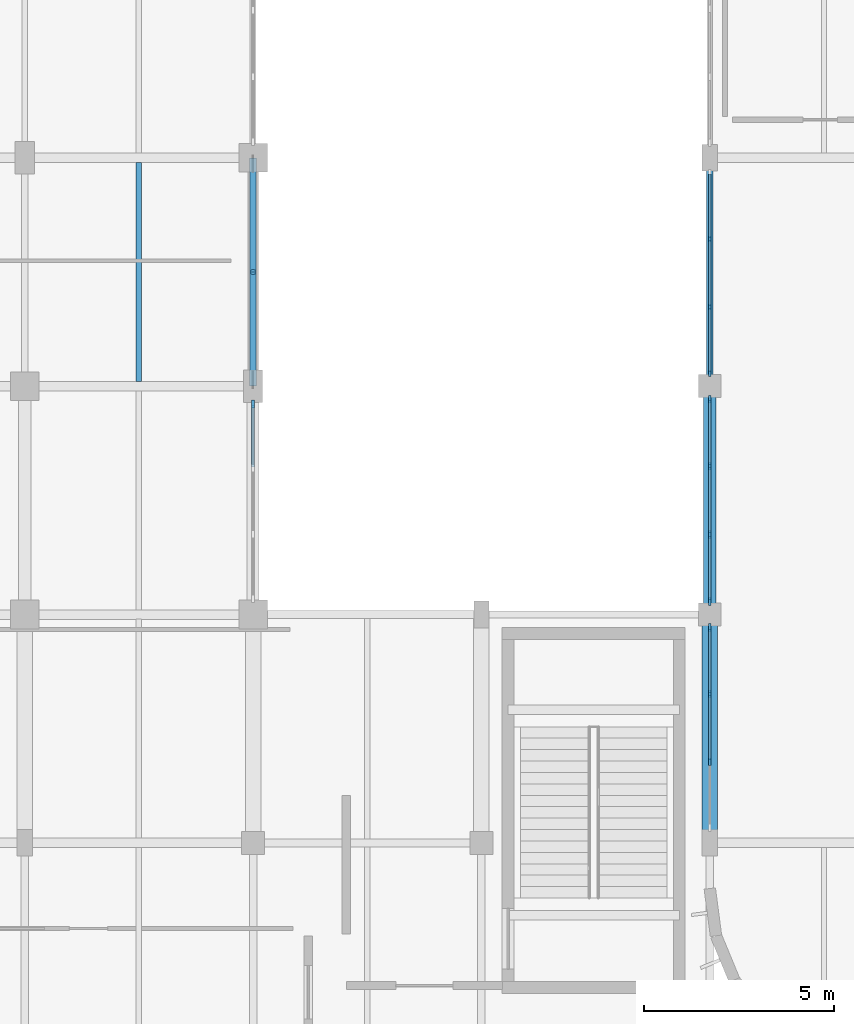
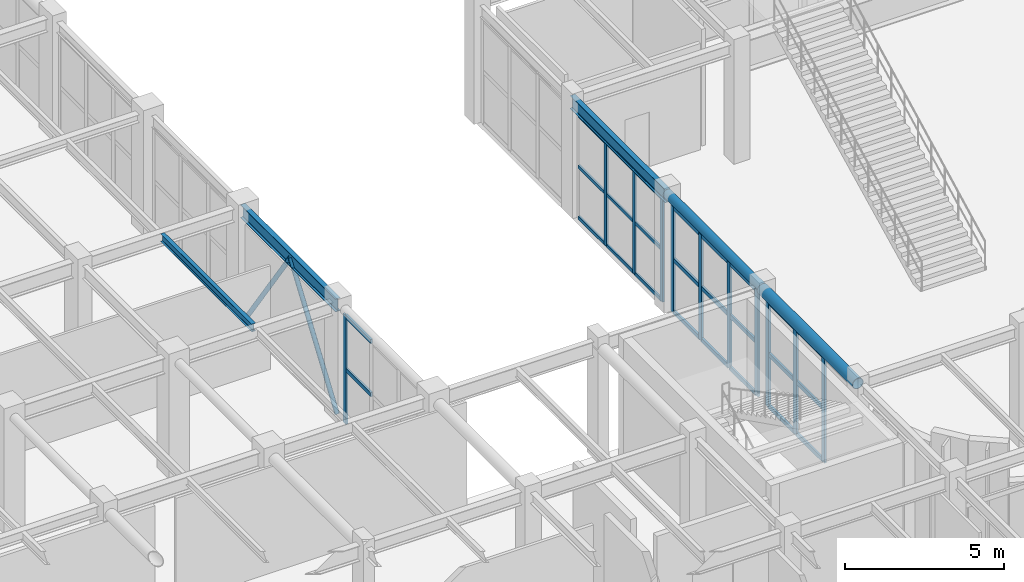
# One storey, part 8 of 76: 39 members, 5 beams, 4 elements without a shape of their own.
"""IFC4 building model written with IfcOpenShell, lengths in metres."""

from ifc_helpers import new_model, si_unit, direction, frame, origin, origin_2d, place, context, subcontext, project, spatial, rectangle, hollow_circle, i_section, extrude, material, material_profile, profile_set, type_object, element, aggregate, save


model = new_model("IFC4")

# Units and contexts
model_context = context("Model", 3, precision=1e-05, world=origin(), true_north=direction((0.0, 1.0)))
body_context = subcontext(model_context, "Body", "Model", "MODEL_VIEW")
ifc_project = project(units=[si_unit("LENGTHUNIT", "METRE"), si_unit("AREAUNIT", "SQUARE_METRE"), si_unit("VOLUMEUNIT", "CUBIC_METRE"), si_unit("PLANEANGLEUNIT", "RADIAN"), si_unit("MASSUNIT", "GRAM", prefix="KILO")], contexts=[model_context])

# Site, building, storey
site_placement = place(None, origin())
site = spatial("IfcSite", under=ifc_project, at=site_placement, CompositionType="ELEMENT")
building_placement = place(site_placement, origin())
building = spatial("IfcBuilding", under=site, at=building_placement, Name="Varnakota Square Police Headquarters", CompositionType="ELEMENT")
storey_placement = place(building_placement, origin())
storey = spatial("IfcBuildingStorey", under=building, at=storey_placement, Name="L00", CompositionType="ELEMENT", Elevation=0.0)

# Beams
ifc_material_1 = material(Name="Steel IS 2062 Grade 350", Category="steel")
ifc_material_profile_1 = material_profile(ifc_material_1, hollow_circle(Radius=0.161865234375, WallThickness=0.0126953125, at=origin_2d()), Name="CHS 323.9x12.7")
ifc_profile_set_1 = profile_set([ifc_material_profile_1], Name="Steel IS 2062 Grade 350")
beam_type_1 = type_object("IfcBeamType", Name="BM-ARC-CHS324", PredefinedType="BEAM", material=ifc_profile_set_1)
beam_1_placement = place(storey_placement, frame((54.0, 21.0, 4.337890625), z_axis=(0.0, 1.0, 0.0), x_axis=(-1.0, 0.0, 0.0)))
element("IfcBeam", 1, at=beam_1_placement, inside=storey, type_object=beam_type_1, Name="BMG-L00-1033", PredefinedType="BEAM", context=body_context, shape_type="SweptSolid", body=[
    extrude(hollow_circle(Radius=0.161865234375, WallThickness=0.0126953125, at=origin_2d()), origin(), (0.0, 0.0, 1.0), 6.0),
])
ifc_material_profile_2 = material_profile(ifc_material_1, hollow_circle(Radius=0.203125, WallThickness=0.01611328125, at=origin_2d()), Name="CHS 406.4x16.0")
ifc_profile_set_2 = profile_set([ifc_material_profile_2], Name="Steel IS 2062 Grade 350")
beam_type_2 = type_object("IfcBeamType", Name="BM-ARC-CHS406", PredefinedType="BEAM", material=ifc_profile_set_2)
beam_2_placement = place(storey_placement, frame((54.0, 15.0, 4.296875), z_axis=(0.0, 1.0, 0.0), x_axis=(-1.0, 0.0, 0.0)))
element("IfcBeam", 2, at=beam_2_placement, inside=storey, type_object=beam_type_2, Name="BMG-L00-1032", PredefinedType="BEAM", context=body_context, shape_type="SweptSolid", body=[
    extrude(hollow_circle(Radius=0.203125, WallThickness=0.01611328125, at=origin_2d()), origin(), (0.0, 0.0, 1.0), 6.0),
])
ifc_material_profile_3 = material_profile(ifc_material_1, i_section(OverallWidth=0.139892578125, OverallDepth=0.300048828125, WebThickness=0.0078125, FlangeThickness=0.01318359375, FilletRadius=0.013916015625, at=origin_2d()), Name="ISMB 300")
ifc_profile_set_3 = profile_set([ifc_material_profile_3], Name="Steel IS 2062 Grade 350")
beam_type_3 = type_object("IfcBeamType", Name="BM-ISMB300", PredefinedType="JOIST", material=ifc_profile_set_3)
beam_3_placement = place(storey_placement, frame((39.0, 27.123046875, 4.35009765625), z_axis=(0.0, 1.0, 0.0), x_axis=(-1.0, 0.0, 0.0)))
element("IfcBeam", 3, at=beam_3_placement, inside=storey, type_object=beam_type_3, Name="BMG-L00-1228", PredefinedType="JOIST", context=body_context, shape_type="SweptSolid", body=[
    extrude(i_section(OverallWidth=0.139892578125, OverallDepth=0.300048828125, WebThickness=0.0078125, FlangeThickness=0.01318359375, FilletRadius=0.013916015625, at=origin_2d()), origin(), (0.0, 0.0, 1.0), 5.75390625),
])
ifc_material_profile_4 = material_profile(ifc_material_1, i_section(OverallWidth=0.179931640625, OverallDepth=0.5, WebThickness=0.01025390625, FlangeThickness=0.01708984375, FilletRadius=0.01708984375, at=origin_2d()), Name="ISMB 500")
ifc_profile_set_4 = profile_set([ifc_material_profile_4], Name="Steel IS 2062 Grade 350")
beam_type_4 = type_object("IfcBeamType", Name="BM-ISMB500", PredefinedType="BEAM", material=ifc_profile_set_4)
for number, where, z_axis, x_axis, name in (
    (4, (42.0, 27.0, 4.25), (0.0, 1.0, 0.0), (-1.0, 0.0, 0.0), "BMG-L00-1014"),
    (5, (54.0, 27.0, 4.25), (0.0, 1.0, 0.0), (-1.0, 0.0, 0.0), "BMG-L00-1034"),
):
    element("IfcBeam", number, at=place(storey_placement, frame(where, z_axis=z_axis, x_axis=x_axis)), inside=storey, type_object=beam_type_4, Name=name, PredefinedType="BEAM", context=body_context, shape_type="SweptSolid", body=[
        extrude(i_section(OverallWidth=0.179931640625, OverallDepth=0.5, WebThickness=0.01025390625, FlangeThickness=0.01708984375, FilletRadius=0.01708984375, at=origin_2d()), origin(), (0.0, 0.0, 1.0), 6.0),
    ])

# Curtain wall, members
ifc_material_2 = material(Name="Anodised Aluminium Framing", Category="aluminium")
curtain_wall_type_1 = type_object("IfcCurtainWallType", Name="CW-SYS-A", PredefinedType="NOTDEFINED", material=ifc_material_2)
curtain_wall_1_placement = place(storey_placement, origin())
curtain_wall_1 = element("IfcCurtainWall", 6, at=curtain_wall_1_placement, inside=storey, type_object=curtain_wall_type_1, Name="Unitised curtain wall CWG-L00-012", PredefinedType="NOTDEFINED")
ifc_material_3 = material(Name="Anodised Aluminium 6063-T6", Category="aluminium")
ifc_material_profile_5 = material_profile(ifc_material_3, rectangle(XDim=0.06494140625, YDim=0.159912109375, at=origin_2d()), Name="ALU MULLION 65x160")
ifc_profile_set_5 = profile_set([ifc_material_profile_5], Name="Anodised Aluminium 6063-T6")
member_type_1 = type_object("IfcMemberType", Name="CWM-150", PredefinedType="MULLION", material=ifc_profile_set_5)
member_1_placement = place(storey_placement, frame((54.0, 27.33740234375, 0.0), z_axis=(0.0, 0.0, 1.0), x_axis=(-1.0, 0.0, 0.0)))
member_1 = element("IfcMember", 7, at=member_1_placement, type_object=member_type_1, Name="CWG-L00-012 mullion 1", PredefinedType="MULLION", context=body_context, shape_type="SweptSolid", body=[
    extrude(rectangle(XDim=0.06494140625, YDim=0.159912109375, at=origin_2d()), origin(), (0.0, 0.0, 1.0), 3.989990234375),
])
member_2_placement = place(storey_placement, frame((54.0, 29.0849609375, 0.0), z_axis=(0.0, 0.0, 1.0), x_axis=(-1.0, 0.0, 0.0)))
member_2 = element("IfcMember", 8, at=member_2_placement, type_object=member_type_1, Name="CWG-L00-012 mullion 2", PredefinedType="MULLION", context=body_context, shape_type="SweptSolid", body=[
    extrude(rectangle(XDim=0.06494140625, YDim=0.159912109375, at=origin_2d()), origin(), (0.0, 0.0, 1.0), 3.989990234375),
])
member_3_placement = place(storey_placement, frame((54.0, 30.864990234375, 0.0), z_axis=(0.0, 0.0, 1.0), x_axis=(-1.0, 0.0, 0.0)))
member_3 = element("IfcMember", 9, at=member_3_placement, type_object=member_type_1, Name="CWG-L00-012 mullion 3", PredefinedType="MULLION", context=body_context, shape_type="SweptSolid", body=[
    extrude(rectangle(XDim=0.06494140625, YDim=0.159912109375, at=origin_2d()), origin(), (0.0, 0.0, 1.0), 3.989990234375),
])

curtain_wall_2_placement = place(storey_placement, origin())
curtain_wall_2 = element("IfcCurtainWall", 10, at=curtain_wall_2_placement, inside=storey, type_object=curtain_wall_type_1, Name="Unitised curtain wall CWG-L00-008", PredefinedType="NOTDEFINED")
ifc_material_profile_6 = material_profile(ifc_material_3, rectangle(XDim=0.074951171875, YDim=0.199951171875, at=origin_2d()), Name="ALU MULLION 75x200")
ifc_profile_set_6 = profile_set([ifc_material_profile_6], Name="Anodised Aluminium 6063-T6")
member_type_2 = type_object("IfcMemberType", Name="CWM-180", PredefinedType="MULLION", material=ifc_profile_set_6)
member_4_placement = place(storey_placement, frame((54.0, 17.135009765625, 0.0), z_axis=(0.0, 0.0, 1.0), x_axis=(-1.0, 0.0, 0.0)))
member_4 = element("IfcMember", 11, at=member_4_placement, type_object=member_type_2, Name="CWG-L00-008 mullion 2", PredefinedType="MULLION", context=body_context, shape_type="SweptSolid", body=[
    extrude(rectangle(XDim=0.074951171875, YDim=0.199951171875, at=origin_2d()), origin(), (0.0, 0.0, 1.0), 4.08349609375),
])
member_5_placement = place(storey_placement, frame((54.0, 18.9150390625, 0.0), z_axis=(0.0, 0.0, 1.0), x_axis=(-1.0, 0.0, 0.0)))
member_5 = element("IfcMember", 12, at=member_5_placement, type_object=member_type_2, Name="CWG-L00-008 mullion 3", PredefinedType="MULLION", context=body_context, shape_type="SweptSolid", body=[
    extrude(rectangle(XDim=0.074951171875, YDim=0.199951171875, at=origin_2d()), origin(), (0.0, 0.0, 1.0), 4.08349609375),
])
member_6_placement = place(storey_placement, frame((54.0, 20.657470703125, 0.0), z_axis=(0.0, 0.0, 1.0), x_axis=(-1.0, 0.0, 0.0)))
member_6 = element("IfcMember", 13, at=member_6_placement, type_object=member_type_2, Name="CWG-L00-008 mullion 4", PredefinedType="MULLION", context=body_context, shape_type="SweptSolid", body=[
    extrude(rectangle(XDim=0.074951171875, YDim=0.199951171875, at=origin_2d()), origin(), (0.0, 0.0, 1.0), 4.08349609375),
])

curtain_wall_3_placement = place(storey_placement, origin())
curtain_wall_3 = element("IfcCurtainWall", 14, at=curtain_wall_3_placement, inside=storey, type_object=curtain_wall_type_1, Name="Unitised curtain wall CWG-L00-010", PredefinedType="NOTDEFINED")
member_7_placement = place(storey_placement, frame((54.0, 21.342529296875, 0.0), z_axis=(0.0, 0.0, 1.0), x_axis=(-1.0, 0.0, 0.0)))
member_7 = element("IfcMember", 15, at=member_7_placement, type_object=member_type_2, Name="CWG-L00-010 mullion 1", PredefinedType="MULLION", context=body_context, shape_type="SweptSolid", body=[
    extrude(rectangle(XDim=0.074951171875, YDim=0.199951171875, at=origin_2d()), origin(), (0.0, 0.0, 1.0), 4.08349609375),
])
member_8_placement = place(storey_placement, frame((54.0, 23.1015625, 0.0), z_axis=(0.0, 0.0, 1.0), x_axis=(-1.0, 0.0, 0.0)))
member_8 = element("IfcMember", 16, at=member_8_placement, type_object=member_type_2, Name="CWG-L00-010 mullion 2", PredefinedType="MULLION", context=body_context, shape_type="SweptSolid", body=[
    extrude(rectangle(XDim=0.074951171875, YDim=0.199951171875, at=origin_2d()), origin(), (0.0, 0.0, 1.0), 4.08349609375),
])
member_9_placement = place(storey_placement, frame((54.0, 24.8984375, 0.0), z_axis=(0.0, 0.0, 1.0), x_axis=(-1.0, 0.0, 0.0)))
member_9 = element("IfcMember", 17, at=member_9_placement, type_object=member_type_2, Name="CWG-L00-010 mullion 3", PredefinedType="MULLION", context=body_context, shape_type="SweptSolid", body=[
    extrude(rectangle(XDim=0.074951171875, YDim=0.199951171875, at=origin_2d()), origin(), (0.0, 0.0, 1.0), 4.08349609375),
])
member_10_placement = place(storey_placement, frame((54.0, 26.657470703125, 0.0), z_axis=(0.0, 0.0, 1.0), x_axis=(-1.0, 0.0, 0.0)))
member_10 = element("IfcMember", 18, at=member_10_placement, type_object=member_type_2, Name="CWG-L00-010 mullion 4", PredefinedType="MULLION", context=body_context, shape_type="SweptSolid", body=[
    extrude(rectangle(XDim=0.074951171875, YDim=0.199951171875, at=origin_2d()), origin(), (0.0, 0.0, 1.0), 4.08349609375),
])

# Curtain wall, member
curtain_wall_type_2 = type_object("IfcCurtainWallType", Name="CW-SYS-D", PredefinedType="NOTDEFINED", material=ifc_material_2)
curtain_wall_4_placement = place(storey_placement, origin())
curtain_wall_4 = element("IfcCurtainWall", 19, at=curtain_wall_4_placement, inside=storey, type_object=curtain_wall_type_2, Name="Unitised curtain wall CWG-L00-127", PredefinedType="NOTDEFINED")
member_11_placement = place(storey_placement, frame((42.0, 26.532470703125, 0.0), z_axis=(0.0, 0.0, 1.0), x_axis=(-1.0, 0.0, 0.0)))
member_11 = element("IfcMember", 20, at=member_11_placement, type_object=member_type_2, Name="CWG-L00-127 mullion 4", PredefinedType="MULLION", context=body_context, shape_type="SweptSolid", body=[
    extrude(rectangle(XDim=0.074951171875, YDim=0.199951171875, at=origin_2d()), origin(), (0.0, 0.0, 1.0), 4.166015625),
])

# Member
ifc_material_profile_7 = material_profile(ifc_material_3, rectangle(XDim=0.06494140625, YDim=0.1298828125, at=origin_2d()), Name="ALU TRANSOM 65x130")
ifc_profile_set_7 = profile_set([ifc_material_profile_7], Name="Anodised Aluminium 6063-T6")
member_type_3 = type_object("IfcMemberType", Name="CWT-120", PredefinedType="USERDEFINED", material=ifc_profile_set_7)
member_12_placement = place(storey_placement, frame((54.0, 27.3701171875, 0.032470703125), z_axis=(0.0, 1.0, 0.0), x_axis=(-1.0, 0.0, 0.0)))
member_12 = element("IfcMember", 21, at=member_12_placement, type_object=member_type_3, Name="CWG-L00-012 transom 1.1", ObjectType="TRANSOM", PredefinedType="USERDEFINED", context=body_context, shape_type="SweptSolid", body=[
    extrude(rectangle(XDim=0.06494140625, YDim=0.1298828125, at=origin_2d()), origin(), (0.0, 0.0, 1.0), 1.682373046875),
])

member_13_placement = place(storey_placement, frame((54.0, 27.3701171875, 1.9951171875), z_axis=(0.0, 1.0, 0.0), x_axis=(-1.0, 0.0, 0.0)))
member_13 = element("IfcMember", 22, at=member_13_placement, type_object=member_type_3, Name="CWG-L00-012 transom 1.2", ObjectType="TRANSOM", PredefinedType="USERDEFINED", context=body_context, shape_type="SweptSolid", body=[
    extrude(rectangle(XDim=0.06494140625, YDim=0.1298828125, at=origin_2d()), origin(), (0.0, 0.0, 1.0), 1.682373046875),
])

member_14_placement = place(storey_placement, frame((54.0, 27.3701171875, 3.95751953125), z_axis=(0.0, 1.0, 0.0), x_axis=(-1.0, 0.0, 0.0)))
member_14 = element("IfcMember", 23, at=member_14_placement, type_object=member_type_3, Name="CWG-L00-012 transom 1.3", ObjectType="TRANSOM", PredefinedType="USERDEFINED", context=body_context, shape_type="SweptSolid", body=[
    extrude(rectangle(XDim=0.06494140625, YDim=0.1298828125, at=origin_2d()), origin(), (0.0, 0.0, 1.0), 1.682373046875),
])

member_15_placement = place(storey_placement, frame((54.0, 29.117431640625, 0.032470703125), z_axis=(0.0, 1.0, 0.0), x_axis=(-1.0, 0.0, 0.0)))
member_15 = element("IfcMember", 24, at=member_15_placement, type_object=member_type_3, Name="CWG-L00-012 transom 2.1", ObjectType="TRANSOM", PredefinedType="USERDEFINED", context=body_context, shape_type="SweptSolid", body=[
    extrude(rectangle(XDim=0.06494140625, YDim=0.1298828125, at=origin_2d()), origin(), (0.0, 0.0, 1.0), 1.715087890625),
])

member_16_placement = place(storey_placement, frame((54.0, 29.117431640625, 1.9951171875), z_axis=(0.0, 1.0, 0.0), x_axis=(-1.0, 0.0, 0.0)))
member_16 = element("IfcMember", 25, at=member_16_placement, type_object=member_type_3, Name="CWG-L00-012 transom 2.2", ObjectType="TRANSOM", PredefinedType="USERDEFINED", context=body_context, shape_type="SweptSolid", body=[
    extrude(rectangle(XDim=0.06494140625, YDim=0.1298828125, at=origin_2d()), origin(), (0.0, 0.0, 1.0), 1.715087890625),
])

member_17_placement = place(storey_placement, frame((54.0, 29.117431640625, 3.95751953125), z_axis=(0.0, 1.0, 0.0), x_axis=(-1.0, 0.0, 0.0)))
member_17 = element("IfcMember", 26, at=member_17_placement, type_object=member_type_3, Name="CWG-L00-012 transom 2.3", ObjectType="TRANSOM", PredefinedType="USERDEFINED", context=body_context, shape_type="SweptSolid", body=[
    extrude(rectangle(XDim=0.06494140625, YDim=0.1298828125, at=origin_2d()), origin(), (0.0, 0.0, 1.0), 1.715087890625),
])

member_18_placement = place(storey_placement, frame((54.0, 30.8974609375, 0.032470703125), z_axis=(0.0, 1.0, 0.0), x_axis=(-1.0, 0.0, 0.0)))
member_18 = element("IfcMember", 27, at=member_18_placement, type_object=member_type_3, Name="CWG-L00-012 transom 3.1", ObjectType="TRANSOM", PredefinedType="USERDEFINED", context=body_context, shape_type="SweptSolid", body=[
    extrude(rectangle(XDim=0.06494140625, YDim=0.1298828125, at=origin_2d()), origin(), (0.0, 0.0, 1.0), 1.6826171875),
])

member_19_placement = place(storey_placement, frame((54.0, 30.8974609375, 1.9951171875), z_axis=(0.0, 1.0, 0.0), x_axis=(-1.0, 0.0, 0.0)))
member_19 = element("IfcMember", 28, at=member_19_placement, type_object=member_type_3, Name="CWG-L00-012 transom 3.2", ObjectType="TRANSOM", PredefinedType="USERDEFINED", context=body_context, shape_type="SweptSolid", body=[
    extrude(rectangle(XDim=0.06494140625, YDim=0.1298828125, at=origin_2d()), origin(), (0.0, 0.0, 1.0), 1.6826171875),
])

member_20_placement = place(storey_placement, frame((54.0, 30.8974609375, 3.95751953125), z_axis=(0.0, 1.0, 0.0), x_axis=(-1.0, 0.0, 0.0)))
member_20 = element("IfcMember", 29, at=member_20_placement, type_object=member_type_3, Name="CWG-L00-012 transom 3.3", ObjectType="TRANSOM", PredefinedType="USERDEFINED", context=body_context, shape_type="SweptSolid", body=[
    extrude(rectangle(XDim=0.06494140625, YDim=0.1298828125, at=origin_2d()), origin(), (0.0, 0.0, 1.0), 1.6826171875),
])

aggregate(curtain_wall_1, [member_1, member_2, member_3, member_12, member_13, member_14, member_15, member_16, member_17, member_18, member_19, member_20])

ifc_material_profile_8 = material_profile(ifc_material_3, rectangle(XDim=0.074951171875, YDim=0.159912109375, at=origin_2d()), Name="ALU TRANSOM 75x160")
ifc_profile_set_8 = profile_set([ifc_material_profile_8], Name="Anodised Aluminium 6063-T6")
member_type_4 = type_object("IfcMemberType", Name="CWT-150", PredefinedType="USERDEFINED", material=ifc_profile_set_8)
member_21_placement = place(storey_placement, frame((54.0, 17.172607421875, 0.03759765625), z_axis=(0.0, 1.0, 0.0), x_axis=(-1.0, 0.0, 0.0)))
member_21 = element("IfcMember", 30, at=member_21_placement, type_object=member_type_4, Name="CWG-L00-008 transom 2.1", ObjectType="TRANSOM", PredefinedType="USERDEFINED", context=body_context, shape_type="SweptSolid", body=[
    extrude(rectangle(XDim=0.074951171875, YDim=0.159912109375, at=origin_2d()), origin(), (0.0, 0.0, 1.0), 1.704833984375),
])

member_22_placement = place(storey_placement, frame((54.0, 17.172607421875, 2.041748046875), z_axis=(0.0, 1.0, 0.0), x_axis=(-1.0, 0.0, 0.0)))
member_22 = element("IfcMember", 31, at=member_22_placement, type_object=member_type_4, Name="CWG-L00-008 transom 2.2", ObjectType="TRANSOM", PredefinedType="USERDEFINED", context=body_context, shape_type="SweptSolid", body=[
    extrude(rectangle(XDim=0.074951171875, YDim=0.159912109375, at=origin_2d()), origin(), (0.0, 0.0, 1.0), 1.704833984375),
])

member_23_placement = place(storey_placement, frame((54.0, 17.172607421875, 4.046142578125), z_axis=(0.0, 1.0, 0.0), x_axis=(-1.0, 0.0, 0.0)))
member_23 = element("IfcMember", 32, at=member_23_placement, type_object=member_type_4, Name="CWG-L00-008 transom 2.3", ObjectType="TRANSOM", PredefinedType="USERDEFINED", context=body_context, shape_type="SweptSolid", body=[
    extrude(rectangle(XDim=0.074951171875, YDim=0.159912109375, at=origin_2d()), origin(), (0.0, 0.0, 1.0), 1.704833984375),
])

member_24_placement = place(storey_placement, frame((54.0, 18.952392578125, 0.03759765625), z_axis=(0.0, 1.0, 0.0), x_axis=(-1.0, 0.0, 0.0)))
member_24 = element("IfcMember", 33, at=member_24_placement, type_object=member_type_4, Name="CWG-L00-008 transom 3.1", ObjectType="TRANSOM", PredefinedType="USERDEFINED", context=body_context, shape_type="SweptSolid", body=[
    extrude(rectangle(XDim=0.074951171875, YDim=0.159912109375, at=origin_2d()), origin(), (0.0, 0.0, 1.0), 1.667724609375),
])

member_25_placement = place(storey_placement, frame((54.0, 18.952392578125, 2.041748046875), z_axis=(0.0, 1.0, 0.0), x_axis=(-1.0, 0.0, 0.0)))
member_25 = element("IfcMember", 34, at=member_25_placement, type_object=member_type_4, Name="CWG-L00-008 transom 3.2", ObjectType="TRANSOM", PredefinedType="USERDEFINED", context=body_context, shape_type="SweptSolid", body=[
    extrude(rectangle(XDim=0.074951171875, YDim=0.159912109375, at=origin_2d()), origin(), (0.0, 0.0, 1.0), 1.667724609375),
])

member_26_placement = place(storey_placement, frame((54.0, 18.952392578125, 4.046142578125), z_axis=(0.0, 1.0, 0.0), x_axis=(-1.0, 0.0, 0.0)))
member_26 = element("IfcMember", 35, at=member_26_placement, type_object=member_type_4, Name="CWG-L00-008 transom 3.3", ObjectType="TRANSOM", PredefinedType="USERDEFINED", context=body_context, shape_type="SweptSolid", body=[
    extrude(rectangle(XDim=0.074951171875, YDim=0.159912109375, at=origin_2d()), origin(), (0.0, 0.0, 1.0), 1.667724609375),
])

aggregate(curtain_wall_2, [member_4, member_5, member_6, member_21, member_22, member_23, member_24, member_25, member_26])

member_27_placement = place(storey_placement, frame((54.0, 21.3798828125, 0.03759765625), z_axis=(0.0, 1.0, 0.0), x_axis=(-1.0, 0.0, 0.0)))
member_27 = element("IfcMember", 36, at=member_27_placement, type_object=member_type_4, Name="CWG-L00-010 transom 1.1", ObjectType="TRANSOM", PredefinedType="USERDEFINED", context=body_context, shape_type="SweptSolid", body=[
    extrude(rectangle(XDim=0.074951171875, YDim=0.159912109375, at=origin_2d()), origin(), (0.0, 0.0, 1.0), 1.684326171875),
])

member_28_placement = place(storey_placement, frame((54.0, 21.3798828125, 2.041748046875), z_axis=(0.0, 1.0, 0.0), x_axis=(-1.0, 0.0, 0.0)))
member_28 = element("IfcMember", 37, at=member_28_placement, type_object=member_type_4, Name="CWG-L00-010 transom 1.2", ObjectType="TRANSOM", PredefinedType="USERDEFINED", context=body_context, shape_type="SweptSolid", body=[
    extrude(rectangle(XDim=0.074951171875, YDim=0.159912109375, at=origin_2d()), origin(), (0.0, 0.0, 1.0), 1.684326171875),
])

member_29_placement = place(storey_placement, frame((54.0, 21.3798828125, 4.046142578125), z_axis=(0.0, 1.0, 0.0), x_axis=(-1.0, 0.0, 0.0)))
member_29 = element("IfcMember", 38, at=member_29_placement, type_object=member_type_4, Name="CWG-L00-010 transom 1.3", ObjectType="TRANSOM", PredefinedType="USERDEFINED", context=body_context, shape_type="SweptSolid", body=[
    extrude(rectangle(XDim=0.074951171875, YDim=0.159912109375, at=origin_2d()), origin(), (0.0, 0.0, 1.0), 1.684326171875),
])

member_30_placement = place(storey_placement, frame((54.0, 23.13916015625, 0.03759765625), z_axis=(0.0, 1.0, 0.0), x_axis=(-1.0, 0.0, 0.0)))
member_30 = element("IfcMember", 39, at=member_30_placement, type_object=member_type_4, Name="CWG-L00-010 transom 2.1", ObjectType="TRANSOM", PredefinedType="USERDEFINED", context=body_context, shape_type="SweptSolid", body=[
    extrude(rectangle(XDim=0.074951171875, YDim=0.159912109375, at=origin_2d()), origin(), (0.0, 0.0, 1.0), 1.7216796875),
])

member_31_placement = place(storey_placement, frame((54.0, 23.13916015625, 2.041748046875), z_axis=(0.0, 1.0, 0.0), x_axis=(-1.0, 0.0, 0.0)))
member_31 = element("IfcMember", 40, at=member_31_placement, type_object=member_type_4, Name="CWG-L00-010 transom 2.2", ObjectType="TRANSOM", PredefinedType="USERDEFINED", context=body_context, shape_type="SweptSolid", body=[
    extrude(rectangle(XDim=0.074951171875, YDim=0.159912109375, at=origin_2d()), origin(), (0.0, 0.0, 1.0), 1.7216796875),
])

member_32_placement = place(storey_placement, frame((54.0, 23.13916015625, 4.046142578125), z_axis=(0.0, 1.0, 0.0), x_axis=(-1.0, 0.0, 0.0)))
member_32 = element("IfcMember", 41, at=member_32_placement, type_object=member_type_4, Name="CWG-L00-010 transom 2.3", ObjectType="TRANSOM", PredefinedType="USERDEFINED", context=body_context, shape_type="SweptSolid", body=[
    extrude(rectangle(XDim=0.074951171875, YDim=0.159912109375, at=origin_2d()), origin(), (0.0, 0.0, 1.0), 1.7216796875),
])

member_33_placement = place(storey_placement, frame((54.0, 24.935791015625, 0.03759765625), z_axis=(0.0, 1.0, 0.0), x_axis=(-1.0, 0.0, 0.0)))
member_33 = element("IfcMember", 42, at=member_33_placement, type_object=member_type_4, Name="CWG-L00-010 transom 3.1", ObjectType="TRANSOM", PredefinedType="USERDEFINED", context=body_context, shape_type="SweptSolid", body=[
    extrude(rectangle(XDim=0.074951171875, YDim=0.159912109375, at=origin_2d()), origin(), (0.0, 0.0, 1.0), 1.684326171875),
])

member_34_placement = place(storey_placement, frame((54.0, 24.935791015625, 2.041748046875), z_axis=(0.0, 1.0, 0.0), x_axis=(-1.0, 0.0, 0.0)))
member_34 = element("IfcMember", 43, at=member_34_placement, type_object=member_type_4, Name="CWG-L00-010 transom 3.2", ObjectType="TRANSOM", PredefinedType="USERDEFINED", context=body_context, shape_type="SweptSolid", body=[
    extrude(rectangle(XDim=0.074951171875, YDim=0.159912109375, at=origin_2d()), origin(), (0.0, 0.0, 1.0), 1.684326171875),
])

member_35_placement = place(storey_placement, frame((54.0, 24.935791015625, 4.046142578125), z_axis=(0.0, 1.0, 0.0), x_axis=(-1.0, 0.0, 0.0)))
member_35 = element("IfcMember", 44, at=member_35_placement, type_object=member_type_4, Name="CWG-L00-010 transom 3.3", ObjectType="TRANSOM", PredefinedType="USERDEFINED", context=body_context, shape_type="SweptSolid", body=[
    extrude(rectangle(XDim=0.074951171875, YDim=0.159912109375, at=origin_2d()), origin(), (0.0, 0.0, 1.0), 1.684326171875),
])

aggregate(curtain_wall_3, [member_7, member_8, member_9, member_10, member_27, member_28, member_29, member_30, member_31, member_32, member_33, member_34, member_35])

member_36_placement = place(storey_placement, frame((42.0, 24.87744140625, 2.0830078125), z_axis=(0.0, 1.0, 0.0), x_axis=(-1.0, 0.0, 0.0)))
member_36 = element("IfcMember", 45, at=member_36_placement, type_object=member_type_4, Name="CWG-L00-127 transom 3.2", ObjectType="TRANSOM", PredefinedType="USERDEFINED", context=body_context, shape_type="SweptSolid", body=[
    extrude(rectangle(XDim=0.074951171875, YDim=0.159912109375, at=origin_2d()), origin(), (0.0, 0.0, 1.0), 1.61767578125),
])

member_37_placement = place(storey_placement, frame((42.0, 24.87744140625, 4.128662109375), z_axis=(0.0, 1.0, 0.0), x_axis=(-1.0, 0.0, 0.0)))
member_37 = element("IfcMember", 46, at=member_37_placement, type_object=member_type_4, Name="CWG-L00-127 transom 3.3", ObjectType="TRANSOM", PredefinedType="USERDEFINED", context=body_context, shape_type="SweptSolid", body=[
    extrude(rectangle(XDim=0.074951171875, YDim=0.159912109375, at=origin_2d()), origin(), (0.0, 0.0, 1.0), 1.61767578125),
])

aggregate(curtain_wall_4, [member_11, member_36, member_37])

# Members
ifc_material_profile_9 = material_profile(ifc_material_1, hollow_circle(Radius=0.08251953125, WallThickness=0.006103515625, at=origin_2d()), Name="CHS 165.1x6.0")
ifc_profile_set_9 = profile_set([ifc_material_profile_9], Name="Steel IS 2062 Grade 350")
member_type_5 = type_object("IfcMemberType", Name="MEM-BR-CHS165", PredefinedType="BRACE", material=ifc_profile_set_9)
for number, where, z_axis, x_axis, name in (
    (47, (42.0, 27.050048828125, 0.02001953125), (0.0, 0.57202533685, 0.8202359502), (-1.0, 0.0, 0.0), "Lateral brace BF3 L00 left"),
    (48, (42.0, 32.949951171875, 0.02001953125), (0.0, -0.57202533685, 0.8202359502), (1.0, 0.0, 0.0), "Lateral brace BF3 L00 right"),
):
    element("IfcMember", number, at=place(storey_placement, frame(where, z_axis=z_axis, x_axis=x_axis)), inside=storey, type_object=member_type_5, Name=name, PredefinedType="BRACE", context=body_context, shape_type="SweptSolid", body=[
        extrude(hollow_circle(Radius=0.08251953125, WallThickness=0.006103515625, at=origin_2d()), origin(), (0.0, 0.0, 1.0), 5.156982421875),
    ])

save(model, "model.ifc")
